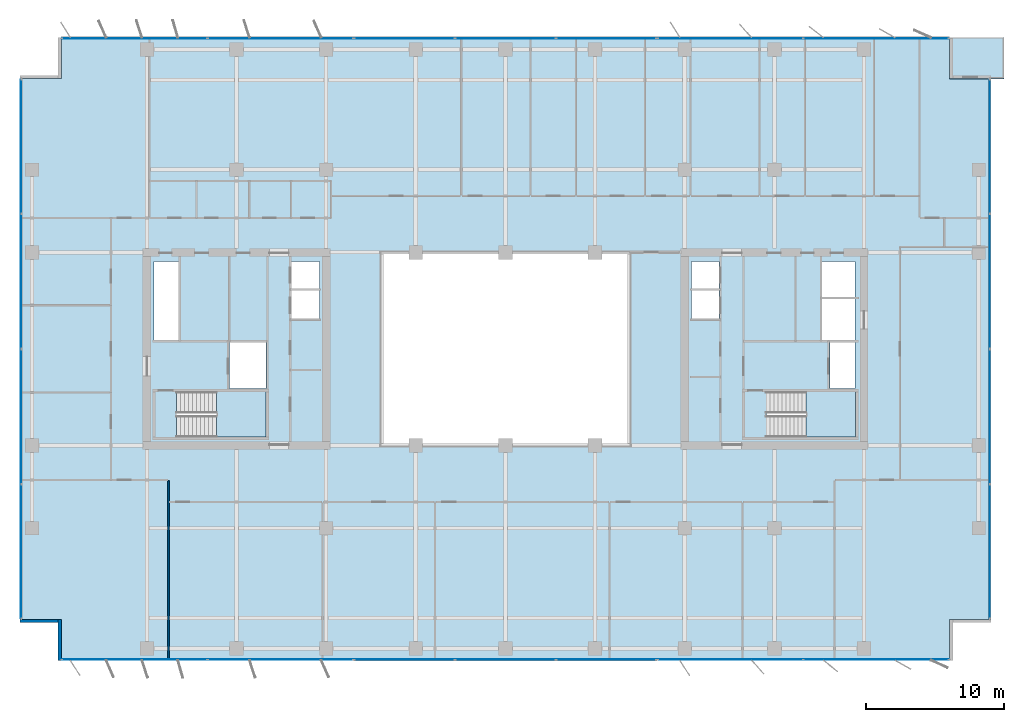
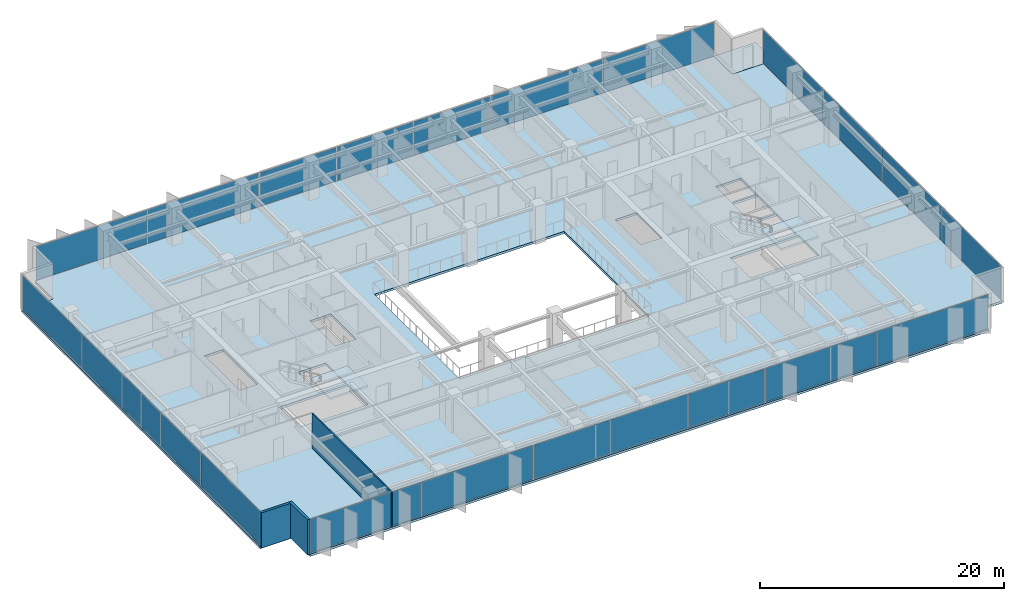
# One storey, part 14 of 22: 22 plates, 4 slabs, 3 walls, 10 elements without a shape of their own.
"""IFC4 building model written with IfcOpenShell, lengths in metres."""

from ifc_helpers import new_model, si_unit, direction, frame, frame_2d, origin, origin_2d, place, context, subcontext, project, spatial, polyline, rectangle, outline, extrude, material, layer, layer_set, type_object, element, aggregate, save


model = new_model("IFC4")

# Units and contexts
model_context = context("Model", 3, precision=1e-05, world=origin(), true_north=direction((0.0, 1.0)))
body_context = subcontext(model_context, "Body", "Model", "MODEL_VIEW")
ifc_project = project(units=[si_unit("LENGTHUNIT", "METRE"), si_unit("AREAUNIT", "SQUARE_METRE"), si_unit("VOLUMEUNIT", "CUBIC_METRE"), si_unit("PLANEANGLEUNIT", "RADIAN"), si_unit("MASSUNIT", "GRAM", prefix="KILO")], contexts=[model_context])

# Site, building, storey
site_placement = place(None, origin())
site = spatial("IfcSite", under=ifc_project, at=site_placement, CompositionType="ELEMENT")
building_placement = place(site_placement, origin())
building = spatial("IfcBuilding", under=site, at=building_placement, Name="Putna Gate Headquarters", CompositionType="ELEMENT")
storey_placement = place(building_placement, frame((0.0, 0.0, 193.60009765625)))
storey = spatial("IfcBuildingStorey", under=building, at=storey_placement, Name="L48", CompositionType="ELEMENT", Elevation=193.60009765625)

# Stair, slab
ifc_material_1 = material(Name="Concrete C40/50", Category="concrete")
stair_type_1 = type_object("IfcStairType", Name="STAIR-ST1", PredefinedType="HALF_TURN_STAIR", material=ifc_material_1)
stair_1_placement = place(storey_placement, origin())
stair_1 = element("IfcStair", 1, at=stair_1_placement, inside=storey, type_object=stair_type_1, Name="L48 West Core Exit Stair ST1", PredefinedType="HALF_TURN_STAIR")
ifc_layer_1 = layer(ifc_material_1, 0.199951171875)
ifc_layer_set_1 = layer_set([ifc_layer_1], Name="Concrete C40/50")
slab_type_1 = type_object("IfcSlabType", Name="LANDING-ST1", PredefinedType="LANDING", material=ifc_layer_set_1)
slab_1_placement = place(storey_placement, frame((0.0, 0.0, 1.699951171875)))
slab_1 = element("IfcSlab", 2, at=slab_1_placement, type_object=slab_type_1, Name="ST1 landing 1", PredefinedType="LANDING", context=body_context, shape_type="SweptSolid", body=[
    extrude(outline(polyline([(18.050048828125, 19.60009765625), (21.64990234375, 19.60009765625), (21.64990234375, 22.89990234375), (18.050048828125, 22.89990234375), (18.050048828125, 19.60009765625)])), origin(), (0.0, 0.0, 1.0), 0.199951171875),
])
aggregate(stair_1, [slab_1])

stair_type_2 = type_object("IfcStairType", Name="STAIR-ST2", PredefinedType="HALF_TURN_STAIR", material=ifc_material_1)
stair_2_placement = place(storey_placement, origin())
stair_2 = element("IfcStair", 3, at=stair_2_placement, inside=storey, type_object=stair_type_2, Name="L48 East Core Exit Stair ST2", PredefinedType="HALF_TURN_STAIR")
ifc_layer_2 = layer(ifc_material_1, 0.199951171875)
ifc_layer_set_2 = layer_set([ifc_layer_2], Name="Concrete C40/50")
slab_type_2 = type_object("IfcSlabType", Name="LANDING-ST2", PredefinedType="LANDING", material=ifc_layer_set_2)
slab_2_placement = place(storey_placement, frame((0.0, 0.0, 1.699951171875)))
slab_2 = element("IfcSlab", 4, at=slab_2_placement, type_object=slab_type_2, Name="ST2 landing 1", PredefinedType="LANDING", context=body_context, shape_type="SweptSolid", body=[
    extrude(outline(polyline([(60.800048828125, 19.60009765625), (64.39990234375, 19.60009765625), (64.39990234375, 22.89990234375), (60.800048828125, 22.89990234375), (60.800048828125, 19.60009765625)])), origin(), (0.0, 0.0, 1.0), 0.199951171875),
])
aggregate(stair_2, [slab_2])

# Curtain wall, plates
ifc_material_2 = material(Name="Anodised bronze aluminium curtain wall", Category="aluminium")
ifc_layer_3 = layer(ifc_material_2, 0.159912109375)
ifc_layer_set_3 = layer_set([ifc_layer_3], Name="Anodised bronze aluminium curtain wall")
curtain_wall_type_1 = type_object("IfcCurtainWallType", Name="CW-SYS-Z3", PredefinedType="USERDEFINED", material=ifc_layer_set_3)
curtain_wall_1_placement = place(storey_placement, origin())
curtain_wall_1 = element("IfcCurtainWall", 5, at=curtain_wall_1_placement, inside=storey, type_object=curtain_wall_type_1, Name="L48 South West Curtain Wall", ObjectType="STICK CURTAIN WALL", PredefinedType="USERDEFINED")
ifc_material_3 = material(Name="Solar-control triple low-E glass", Category="glass")
ifc_layer_4 = layer(ifc_material_3, 0.028076171875)
ifc_layer_set_4 = layer_set([ifc_layer_4], Name="Solar-control triple low-E glass")
plate_type_1 = type_object("IfcPlateType", Name="PAN-CWP-3", PredefinedType="CURTAIN_PANEL", material=ifc_layer_set_4)
plate_1_placement = place(storey_placement, frame((12.1162109375, 3.47998046875, 0.06005859375), z_axis=(0.0, 0.0, 1.0), x_axis=(1.0, 0.0, 0.0)))
plate_1 = element("IfcPlate", 6, at=plate_1_placement, type_object=plate_type_1, Name="CWS-3 panel 1.1", PredefinedType="CURTAIN_PANEL", context=body_context, shape_type="SweptSolid", body=[
    extrude(rectangle(XDim=10.50244140625, YDim=0.028076171875, at=origin_2d()), origin(), (0.0, 0.0, 1.0), 3.39990234375),
])
plate_2_placement = place(storey_placement, frame((22.683837890625, 3.47998046875, 0.06005859375), z_axis=(0.0, 0.0, 1.0), x_axis=(1.0, 0.0, 0.0)))
plate_2 = element("IfcPlate", 7, at=plate_2_placement, type_object=plate_type_1, Name="CWS-3 panel 2.1", PredefinedType="CURTAIN_PANEL", context=body_context, shape_type="SweptSolid", body=[
    extrude(rectangle(XDim=10.50244140625, YDim=0.028076171875, at=origin_2d()), origin(), (0.0, 0.0, 1.0), 3.39990234375),
])
aggregate(curtain_wall_1, [plate_1, plate_2])

curtain_wall_2_placement = place(storey_placement, origin())
curtain_wall_2 = element("IfcCurtainWall", 8, at=curtain_wall_2_placement, inside=storey, type_object=curtain_wall_type_1, Name="L48 South East Curtain Wall", ObjectType="STICK CURTAIN WALL", PredefinedType="USERDEFINED")
plate_3_placement = place(storey_placement, frame((55.316162109375, 3.47998046875, 0.06005859375), z_axis=(0.0, 0.0, 1.0), x_axis=(1.0, 0.0, 0.0)))
plate_3 = element("IfcPlate", 9, at=plate_3_placement, type_object=plate_type_1, Name="CWS-3 panel 1.1", PredefinedType="CURTAIN_PANEL", context=body_context, shape_type="SweptSolid", body=[
    extrude(rectangle(XDim=10.50244140625, YDim=0.028076171875, at=origin_2d()), origin(), (0.0, 0.0, 1.0), 3.39990234375),
])
plate_4_placement = place(storey_placement, frame((65.8837890625, 3.47998046875, 0.06005859375), z_axis=(0.0, 0.0, 1.0), x_axis=(1.0, 0.0, 0.0)))
plate_4 = element("IfcPlate", 10, at=plate_4_placement, type_object=plate_type_1, Name="CWS-3 panel 2.1", PredefinedType="CURTAIN_PANEL", context=body_context, shape_type="SweptSolid", body=[
    extrude(rectangle(XDim=10.50244140625, YDim=0.028076171875, at=origin_2d()), origin(), (0.0, 0.0, 1.0), 3.39990234375),
])
aggregate(curtain_wall_2, [plate_3, plate_4])

curtain_wall_3_placement = place(storey_placement, origin())
curtain_wall_3 = element("IfcCurtainWall", 11, at=curtain_wall_3_placement, inside=storey, type_object=curtain_wall_type_1, Name="L48 North West Curtain Wall", ObjectType="STICK CURTAIN WALL", PredefinedType="USERDEFINED")
plate_5_placement = place(storey_placement, frame((12.1162109375, 48.52001953125, 0.06005859375), z_axis=(0.0, 0.0, 1.0), x_axis=(1.0, 0.0, 0.0)))
plate_5 = element("IfcPlate", 12, at=plate_5_placement, type_object=plate_type_1, Name="CWS-3 panel 1.1", PredefinedType="CURTAIN_PANEL", context=body_context, shape_type="SweptSolid", body=[
    extrude(rectangle(XDim=10.50244140625, YDim=0.028076171875, at=origin_2d()), origin(), (0.0, 0.0, 1.0), 3.39990234375),
])
plate_6_placement = place(storey_placement, frame((22.683837890625, 48.52001953125, 0.06005859375), z_axis=(0.0, 0.0, 1.0), x_axis=(1.0, 0.0, 0.0)))
plate_6 = element("IfcPlate", 13, at=plate_6_placement, type_object=plate_type_1, Name="CWS-3 panel 2.1", PredefinedType="CURTAIN_PANEL", context=body_context, shape_type="SweptSolid", body=[
    extrude(rectangle(XDim=10.50244140625, YDim=0.028076171875, at=origin_2d()), origin(), (0.0, 0.0, 1.0), 3.39990234375),
])
aggregate(curtain_wall_3, [plate_5, plate_6])

curtain_wall_4_placement = place(storey_placement, origin())
curtain_wall_4 = element("IfcCurtainWall", 14, at=curtain_wall_4_placement, inside=storey, type_object=curtain_wall_type_1, Name="L48 North East Curtain Wall", ObjectType="STICK CURTAIN WALL", PredefinedType="USERDEFINED")
plate_7_placement = place(storey_placement, frame((55.316162109375, 48.52001953125, 0.06005859375), z_axis=(0.0, 0.0, 1.0), x_axis=(1.0, 0.0, 0.0)))
plate_7 = element("IfcPlate", 15, at=plate_7_placement, type_object=plate_type_1, Name="CWS-3 panel 1.1", PredefinedType="CURTAIN_PANEL", context=body_context, shape_type="SweptSolid", body=[
    extrude(rectangle(XDim=10.50244140625, YDim=0.028076171875, at=origin_2d()), origin(), (0.0, 0.0, 1.0), 3.39990234375),
])
plate_8_placement = place(storey_placement, frame((65.8837890625, 48.52001953125, 0.06005859375), z_axis=(0.0, 0.0, 1.0), x_axis=(1.0, 0.0, 0.0)))
plate_8 = element("IfcPlate", 16, at=plate_8_placement, type_object=plate_type_1, Name="CWS-3 panel 2.1", PredefinedType="CURTAIN_PANEL", context=body_context, shape_type="SweptSolid", body=[
    extrude(rectangle(XDim=10.50244140625, YDim=0.028076171875, at=origin_2d()), origin(), (0.0, 0.0, 1.0), 3.39990234375),
])
aggregate(curtain_wall_4, [plate_7, plate_8])

curtain_wall_5_placement = place(storey_placement, origin())
curtain_wall_5 = element("IfcCurtainWall", 17, at=curtain_wall_5_placement, inside=storey, type_object=curtain_wall_type_1, Name="L48 West Curtain Wall", ObjectType="STICK CURTAIN WALL", PredefinedType="USERDEFINED")
plate_9_placement = place(storey_placement, frame((3.8798828125, 11.316162109375, 0.06005859375), z_axis=(0.0, 0.0, 1.0), x_axis=(0.0, 1.0, 0.0)))
plate_9 = element("IfcPlate", 18, at=plate_9_placement, type_object=plate_type_1, Name="CWS-3 panel 1.1", PredefinedType="CURTAIN_PANEL", context=body_context, shape_type="SweptSolid", body=[
    extrude(rectangle(XDim=9.702392578125, YDim=0.028076171875, at=origin_2d()), origin(), (0.0, 0.0, 1.0), 3.39990234375),
])
plate_10_placement = place(storey_placement, frame((3.8798828125, 21.10009765625, 0.06005859375), z_axis=(0.0, 0.0, 1.0), x_axis=(0.0, 1.0, 0.0)))
plate_10 = element("IfcPlate", 19, at=plate_10_placement, type_object=plate_type_1, Name="CWS-3 panel 2.1", PredefinedType="CURTAIN_PANEL", context=body_context, shape_type="SweptSolid", body=[
    extrude(rectangle(XDim=9.735107421875, YDim=0.028076171875, at=origin_2d()), origin(), (0.0, 0.0, 1.0), 3.39990234375),
])
plate_11_placement = place(storey_placement, frame((3.8798828125, 30.89990234375, 0.06005859375), z_axis=(0.0, 0.0, 1.0), x_axis=(0.0, 1.0, 0.0)))
plate_11 = element("IfcPlate", 20, at=plate_11_placement, type_object=plate_type_1, Name="CWS-3 panel 3.1", PredefinedType="CURTAIN_PANEL", context=body_context, shape_type="SweptSolid", body=[
    extrude(rectangle(XDim=9.735107421875, YDim=0.028076171875, at=origin_2d()), origin(), (0.0, 0.0, 1.0), 3.39990234375),
])
plate_12_placement = place(storey_placement, frame((3.8798828125, 40.683837890625, 0.06005859375), z_axis=(0.0, 0.0, 1.0), x_axis=(0.0, 1.0, 0.0)))
plate_12 = element("IfcPlate", 21, at=plate_12_placement, type_object=plate_type_1, Name="CWS-3 panel 4.1", PredefinedType="CURTAIN_PANEL", context=body_context, shape_type="SweptSolid", body=[
    extrude(rectangle(XDim=9.702392578125, YDim=0.028076171875, at=origin_2d()), origin(), (0.0, 0.0, 1.0), 3.39990234375),
])
aggregate(curtain_wall_5, [plate_9, plate_10, plate_11, plate_12])

curtain_wall_6_placement = place(storey_placement, origin())
curtain_wall_6 = element("IfcCurtainWall", 22, at=curtain_wall_6_placement, inside=storey, type_object=curtain_wall_type_1, Name="L48 East Curtain Wall", ObjectType="STICK CURTAIN WALL", PredefinedType="USERDEFINED")
plate_13_placement = place(storey_placement, frame((74.1201171875, 11.316162109375, 0.06005859375), z_axis=(0.0, 0.0, 1.0), x_axis=(0.0, 1.0, 0.0)))
plate_13 = element("IfcPlate", 23, at=plate_13_placement, type_object=plate_type_1, Name="CWS-3 panel 1.1", PredefinedType="CURTAIN_PANEL", context=body_context, shape_type="SweptSolid", body=[
    extrude(rectangle(XDim=9.702392578125, YDim=0.028076171875, at=origin_2d()), origin(), (0.0, 0.0, 1.0), 3.39990234375),
])
plate_14_placement = place(storey_placement, frame((74.1201171875, 21.10009765625, 0.06005859375), z_axis=(0.0, 0.0, 1.0), x_axis=(0.0, 1.0, 0.0)))
plate_14 = element("IfcPlate", 24, at=plate_14_placement, type_object=plate_type_1, Name="CWS-3 panel 2.1", PredefinedType="CURTAIN_PANEL", context=body_context, shape_type="SweptSolid", body=[
    extrude(rectangle(XDim=9.735107421875, YDim=0.028076171875, at=origin_2d()), origin(), (0.0, 0.0, 1.0), 3.39990234375),
])
plate_15_placement = place(storey_placement, frame((74.1201171875, 30.89990234375, 0.06005859375), z_axis=(0.0, 0.0, 1.0), x_axis=(0.0, 1.0, 0.0)))
plate_15 = element("IfcPlate", 25, at=plate_15_placement, type_object=plate_type_1, Name="CWS-3 panel 3.1", PredefinedType="CURTAIN_PANEL", context=body_context, shape_type="SweptSolid", body=[
    extrude(rectangle(XDim=9.735107421875, YDim=0.028076171875, at=origin_2d()), origin(), (0.0, 0.0, 1.0), 3.39990234375),
])
plate_16_placement = place(storey_placement, frame((74.1201171875, 40.683837890625, 0.06005859375), z_axis=(0.0, 0.0, 1.0), x_axis=(0.0, 1.0, 0.0)))
plate_16 = element("IfcPlate", 26, at=plate_16_placement, type_object=plate_type_1, Name="CWS-3 panel 4.1", PredefinedType="CURTAIN_PANEL", context=body_context, shape_type="SweptSolid", body=[
    extrude(rectangle(XDim=9.702392578125, YDim=0.028076171875, at=origin_2d()), origin(), (0.0, 0.0, 1.0), 3.39990234375),
])
aggregate(curtain_wall_6, [plate_13, plate_14, plate_15, plate_16])

ifc_layer_5 = layer(ifc_material_2, 0.179931640625)
ifc_layer_set_5 = layer_set([ifc_layer_5], Name="Anodised bronze aluminium curtain wall")
curtain_wall_type_2 = type_object("IfcCurtainWallType", Name="CW-SYS-ATR", PredefinedType="USERDEFINED", material=ifc_layer_set_5)
curtain_wall_7_placement = place(storey_placement, origin())
curtain_wall_7 = element("IfcCurtainWall", 27, at=curtain_wall_7_placement, inside=storey, type_object=curtain_wall_type_2, Name="L48 South Atrium Clear Glazing", ObjectType="ATRIUM GLAZING", PredefinedType="USERDEFINED")
ifc_material_4 = material(Name="Clear low-iron triple glazing", Category="glass")
ifc_layer_6 = layer(ifc_material_4, 0.0400390625)
ifc_layer_set_6 = layer_set([ifc_layer_6], Name="Clear low-iron triple glazing")
plate_type_2 = type_object("IfcPlateType", Name="PAN-CWP-AT", PredefinedType="CURTAIN_PANEL", material=ifc_layer_set_6)
plate_17_placement = place(storey_placement, frame((31.68408203125, 3.47998046875, 0.070068359375), z_axis=(0.0, 0.0, 1.0), x_axis=(1.0, 0.0, 0.0)))
plate_17 = element("IfcPlate", 28, at=plate_17_placement, type_object=plate_type_2, Name="CWS-AT panel 1.1", PredefinedType="CURTAIN_PANEL", context=body_context, shape_type="SweptSolid", body=[
    extrude(rectangle(XDim=7.228271484375, YDim=0.0400390625, at=origin_2d()), origin(), (0.0, 0.0, 1.0), 3.3798828125),
])
plate_18_placement = place(storey_placement, frame((39.0, 3.47998046875, 0.070068359375), z_axis=(0.0, 0.0, 1.0), x_axis=(1.0, 0.0, 0.0)))
plate_18 = element("IfcPlate", 29, at=plate_18_placement, type_object=plate_type_2, Name="CWS-AT panel 2.1", PredefinedType="CURTAIN_PANEL", context=body_context, shape_type="SweptSolid", body=[
    extrude(rectangle(XDim=7.263427734375, YDim=0.0400390625, at=origin_2d()), origin(), (0.0, 0.0, 1.0), 3.3798828125),
])
plate_19_placement = place(storey_placement, frame((46.31591796875, 3.47998046875, 0.070068359375), z_axis=(0.0, 0.0, 1.0), x_axis=(1.0, 0.0, 0.0)))
plate_19 = element("IfcPlate", 30, at=plate_19_placement, type_object=plate_type_2, Name="CWS-AT panel 3.1", PredefinedType="CURTAIN_PANEL", context=body_context, shape_type="SweptSolid", body=[
    extrude(rectangle(XDim=7.228271484375, YDim=0.0400390625, at=origin_2d()), origin(), (0.0, 0.0, 1.0), 3.3798828125),
])
aggregate(curtain_wall_7, [plate_17, plate_18, plate_19])

curtain_wall_8_placement = place(storey_placement, origin())
curtain_wall_8 = element("IfcCurtainWall", 31, at=curtain_wall_8_placement, inside=storey, type_object=curtain_wall_type_2, Name="L48 North Atrium Clear Glazing", ObjectType="ATRIUM GLAZING", PredefinedType="USERDEFINED")
plate_20_placement = place(storey_placement, frame((31.68408203125, 48.52001953125, 0.070068359375), z_axis=(0.0, 0.0, 1.0), x_axis=(1.0, 0.0, 0.0)))
plate_20 = element("IfcPlate", 32, at=plate_20_placement, type_object=plate_type_2, Name="CWS-AT panel 1.1", PredefinedType="CURTAIN_PANEL", context=body_context, shape_type="SweptSolid", body=[
    extrude(rectangle(XDim=7.228271484375, YDim=0.0400390625, at=origin_2d()), origin(), (0.0, 0.0, 1.0), 3.3798828125),
])
plate_21_placement = place(storey_placement, frame((39.0, 48.52001953125, 0.070068359375), z_axis=(0.0, 0.0, 1.0), x_axis=(1.0, 0.0, 0.0)))
plate_21 = element("IfcPlate", 33, at=plate_21_placement, type_object=plate_type_2, Name="CWS-AT panel 2.1", PredefinedType="CURTAIN_PANEL", context=body_context, shape_type="SweptSolid", body=[
    extrude(rectangle(XDim=7.263427734375, YDim=0.0400390625, at=origin_2d()), origin(), (0.0, 0.0, 1.0), 3.3798828125),
])
plate_22_placement = place(storey_placement, frame((46.31591796875, 48.52001953125, 0.070068359375), z_axis=(0.0, 0.0, 1.0), x_axis=(1.0, 0.0, 0.0)))
plate_22 = element("IfcPlate", 34, at=plate_22_placement, type_object=plate_type_2, Name="CWS-AT panel 3.1", PredefinedType="CURTAIN_PANEL", context=body_context, shape_type="SweptSolid", body=[
    extrude(rectangle(XDim=7.228271484375, YDim=0.0400390625, at=origin_2d()), origin(), (0.0, 0.0, 1.0), 3.3798828125),
])
aggregate(curtain_wall_8, [plate_20, plate_21, plate_22])

# Slabs
ifc_layer_7 = layer(ifc_material_1, 0.179931640625)
ifc_layer_set_7 = layer_set([ifc_layer_7], Name="Concrete C40/50")
slab_type_3 = type_object("IfcSlabType", Name="SLAB-TERRACE-180", PredefinedType="FLOOR", material=ifc_layer_set_7)
slab_3_placement = place(storey_placement, frame((0.0, 0.0, -0.18017578125)))
element("IfcSlab", 35, at=slab_3_placement, inside=storey, type_object=slab_type_3, Name="L48 Spiral Sky-Garden Terrace Slab (NE)", PredefinedType="FLOOR", context=body_context, shape_type="SweptSolid", body=[
    extrude(outline(polyline([(71.19189453125, 45.592041015625), (75.14990234375, 45.592041015625), (75.14990234375, 48.60009765625), (71.19189453125, 48.60009765625), (71.19189453125, 45.592041015625)])), origin(), (0.0, 0.0, 1.0), 0.18017578125),
])
ifc_layer_8 = layer(ifc_material_1, 0.22802734375)
ifc_layer_set_8 = layer_set([ifc_layer_8], Name="Concrete C40/50")
slab_type_4 = type_object("IfcSlabType", Name="SLAB-Z3-228", PredefinedType="FLOOR", material=ifc_layer_set_8)
slab_4_placement = place(storey_placement, frame((0.0, 0.0, -0.22802734375)))
element("IfcSlab", 36, at=slab_4_placement, inside=storey, type_object=slab_type_4, Name="L48 Composite Floor Slab", PredefinedType="FLOOR", context=body_context, shape_type="SweptSolid", body=[
    extrude(outline(polyline([(6.800048828125, 3.39990234375), (71.199951171875, 3.39990234375), (71.199951171875, 6.39990234375), (74.199951171875, 6.39990234375), (74.199951171875, 45.60009765625), (71.199951171875, 45.60009765625), (71.199951171875, 48.60009765625), (6.800048828125, 48.60009765625), (6.800048828125, 45.60009765625), (3.800048828125, 45.60009765625), (3.800048828125, 6.39990234375), (6.800048828125, 6.39990234375), (6.800048828125, 3.39990234375)]), holes=[polyline([(15.1650390625, 19.60009765625), (21.64990234375, 19.60009765625), (21.64990234375, 22.89990234375), (15.1650390625, 22.89990234375), (15.1650390625, 19.60009765625)]), polyline([(57.9150390625, 19.60009765625), (64.39990234375, 19.60009765625), (64.39990234375, 22.89990234375), (57.9150390625, 22.89990234375), (57.9150390625, 19.60009765625)]), polyline([(13.52001953125, 26.659912109375), (15.280029296875, 26.659912109375), (15.280029296875, 32.35009765625), (13.52001953125, 32.35009765625), (13.52001953125, 26.659912109375)]), polyline([(61.969970703125, 29.780029296875), (64.35009765625, 29.780029296875), (64.35009765625, 32.35009765625), (61.969970703125, 32.35009765625), (61.969970703125, 29.780029296875)]), polyline([(18.97998046875, 23.1201171875), (21.6201171875, 23.1201171875), (21.6201171875, 26.4599609375), (18.97998046875, 26.4599609375), (18.97998046875, 23.1201171875)]), polyline([(62.52001953125, 23.1201171875), (64.35009765625, 23.1201171875), (64.35009765625, 26.4599609375), (62.52001953125, 26.4599609375), (62.52001953125, 23.1201171875)]), polyline([(61.969970703125, 26.659912109375), (64.35009765625, 26.659912109375), (64.35009765625, 29.6201171875), (61.969970703125, 29.6201171875), (61.969970703125, 26.659912109375)]), polyline([(23.5, 28.199951171875), (25.5, 28.199951171875), (25.5, 32.35009765625), (23.5, 32.35009765625), (23.5, 28.199951171875)]), polyline([(52.47998046875, 28.199951171875), (54.5, 28.199951171875), (54.5, 32.35009765625), (52.47998046875, 32.35009765625), (52.47998046875, 28.199951171875)]), polyline([(30.0, 19.0), (48.0, 19.0), (48.0, 33.0), (30.0, 33.0), (30.0, 19.0)])]), origin(), (0.0, 0.0, 1.0), 0.22802734375),
])

# Walls
ifc_material_5 = material(Name="Precast concrete C40/50", Category="concrete")
ifc_layer_9 = layer(ifc_material_5, 0.239990234375)
ifc_layer_set_9 = layer_set([ifc_layer_9], Name="Precast concrete C40/50")
wall_type_1 = type_object("IfcWallType", Name="WALL-EXT-TERR-240", PredefinedType="STANDARD", material=ifc_layer_set_9)
for number, where, z_axis, x_axis, name in (
    (37, (6.679931640625, 3.39990234375, 0.0), (0.0, 0.0, 1.0), (0.0, 1.0, 0.0), "L48 Corner Notch Return Wall SW-V"),
    (38, (6.800048828125, 6.280029296875, 0.0), (0.0, 0.0, 1.0), (-1.0, 0.0, 0.0), "L48 Corner Notch Return Wall SW-H"),
):
    element("IfcWall", number, at=place(storey_placement, frame(where, z_axis=z_axis, x_axis=x_axis)), inside=storey, type_object=wall_type_1, Name=name, PredefinedType="STANDARD", context=body_context, shape_type="SweptSolid", body=[
        extrude(rectangle(XDim=3.0, YDim=0.239990234375, at=frame_2d((1.5, 0.0))), origin(), (0.0, 0.0, 1.0), 3.52001953125),
    ])
ifc_material_6 = material(Name="Acoustic gypsum board on metal stud")
ifc_layer_10 = layer(ifc_material_6, 0.1201171875)
ifc_layer_set_10 = layer_set([ifc_layer_10], Name="Acoustic gypsum board on metal stud")
wall_type_2 = type_object("IfcWallType", Name="WALL-PART-120", PredefinedType="PARTITIONING", material=ifc_layer_set_10)
wall_placement = place(storey_placement, frame((14.5771484375, 3.419921875, 0.0), z_axis=(0.0, 0.0, 1.0), x_axis=(0.0, 1.0, 0.0)))
element("IfcWall", 39, at=wall_placement, inside=storey, type_object=wall_type_2, Name="L48 Interior Wall PART-L48-SB-DIV-01", PredefinedType="PARTITIONING", context=body_context, shape_type="SweptSolid", body=[
    extrude(rectangle(XDim=13.02001953125, YDim=0.1201171875, at=frame_2d((6.510009765625, 0.0))), origin(), (0.0, 0.0, 1.0), 3.52001953125),
])

save(model, "model.ifc")
